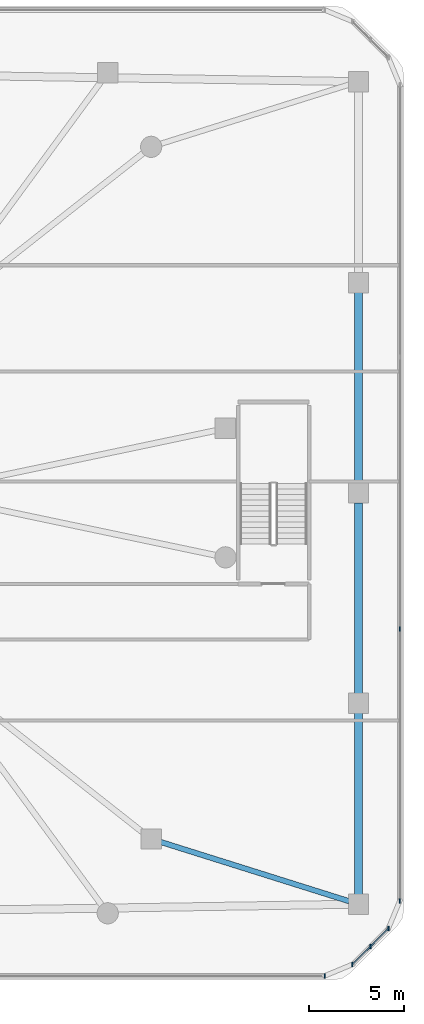
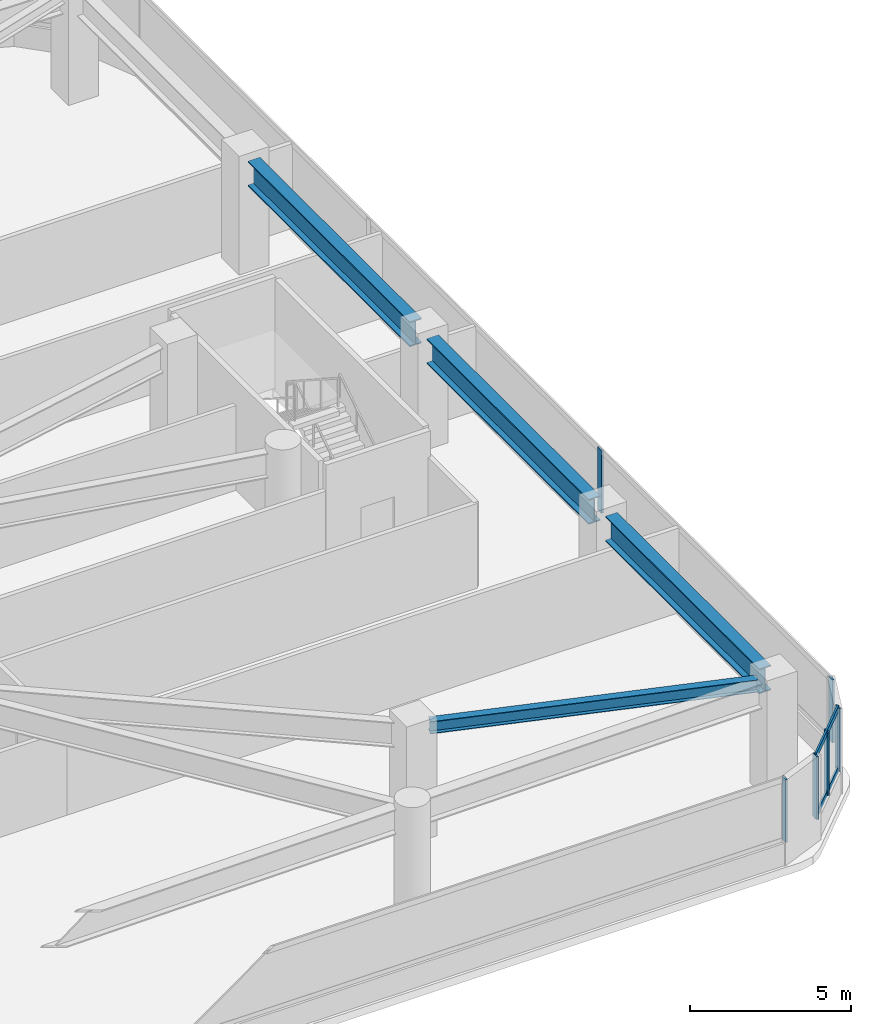
# One storey, part 9 of 21: 8 members, 4 beams, 3 elements without a shape of their own.
"""IFC4 building model written with IfcOpenShell, lengths in metres."""

from ifc_helpers import new_model, si_unit, derived_unit, direction, frame, origin, origin_2d, place, context, subcontext, project, spatial, rectangle, i_section, extrude, material, material_profile, profile_set, type_object, element, aggregate, save


model = new_model("IFC4")

# Units and contexts
model_context = context("Model", 3, precision=1e-05, world=origin(), true_north=direction((0.0, 1.0)))
body_context = subcontext(model_context, "Body", "Model", "MODEL_VIEW")
ifc_project = project(units=[si_unit("LENGTHUNIT", "METRE"), si_unit("AREAUNIT", "SQUARE_METRE"), si_unit("VOLUMEUNIT", "CUBIC_METRE"), si_unit("PLANEANGLEUNIT", "RADIAN"), si_unit("MASSUNIT", "GRAM", prefix="KILO"), derived_unit("THERMALTRANSMITTANCEUNIT", [(si_unit("POWERUNIT", "WATT"), 1), (si_unit("LENGTHUNIT", "METRE"), -2), (si_unit("THERMODYNAMICTEMPERATUREUNIT", "KELVIN"), -1)])], contexts=[model_context])

# Site, building, storey
site_placement = place(None, origin())
site = spatial("IfcSite", under=ifc_project, at=site_placement, CompositionType="ELEMENT")
building_placement = place(site_placement, origin())
building = spatial("IfcBuilding", under=site, at=building_placement, Name="Koralith Skygarden Medical Center", CompositionType="ELEMENT")
storey_placement = place(building_placement, frame((0.0, 0.0, 14.39990234375)))
storey = spatial("IfcBuildingStorey", under=building, at=storey_placement, Name="L03", CompositionType="ELEMENT", Elevation=14.39990234375)

# Curtain wall, member
ifc_material_1 = material(Name="Clear Laminated Glass", Category="glass")
curtain_wall_type = type_object("IfcCurtainWallType", Name="CW-1 Transit & Podium Acoustic Curtain Wall", PredefinedType="NOTDEFINED", material=ifc_material_1)
curtain_wall_1_placement = place(storey_placement, origin())
curtain_wall_1 = element("IfcCurtainWall", 1, at=curtain_wall_1_placement, inside=storey, type_object=curtain_wall_type, Name="Curtain Wall CW-L03-S", PredefinedType="NOTDEFINED")
ifc_material_2 = material(Name="Aluminium 6063-T6", Category="aluminium")
ifc_material_profile_1 = material_profile(ifc_material_2, rectangle(XDim=0.068115234375, YDim=0.239990234375, at=origin_2d()), Name="MUL68X240")
ifc_profile_set_1 = profile_set([ifc_material_profile_1], Name="Aluminium 6063-T6")
member_type_1 = type_object("IfcMemberType", Name="CW-1 Extruded Mullion 68x240", PredefinedType="MULLION", material=ifc_profile_set_1)
member_1_placement = place(storey_placement, frame((69.62109375, 0.419921875, 0.85009765625), z_axis=(0.0, 0.0, 1.0), x_axis=(1.0, 0.0, 0.0)))
member_1 = element("IfcMember", 2, at=member_1_placement, type_object=member_type_1, Name="CW-L03-S Mullion 4", PredefinedType="MULLION", context=body_context, shape_type="SweptSolid", body=[
    extrude(rectangle(XDim=0.068115234375, YDim=0.239990234375, at=origin_2d()), origin(), (0.0, 0.0, 1.0), 2.389892578125),
])
aggregate(curtain_wall_1, [member_1])

# Curtain wall, members
curtain_wall_2_placement = place(storey_placement, origin())
curtain_wall_2 = element("IfcCurtainWall", 3, at=curtain_wall_2_placement, inside=storey, type_object=curtain_wall_type, Name="Curtain Wall CW-L03-SE", PredefinedType="NOTDEFINED")
member_2_placement = place(storey_placement, frame((71.072021484375, 1.02099609375, 0.85009765625), z_axis=(0.0, 0.0, 1.0), x_axis=(1.0, 0.0, 0.0)))
member_2 = element("IfcMember", 4, at=member_2_placement, type_object=member_type_1, Name="CW-L03-SE Mullion 1", PredefinedType="MULLION", context=body_context, shape_type="SweptSolid", body=[
    extrude(rectangle(XDim=0.068115234375, YDim=0.239990234375, at=origin_2d()), origin(), (0.0, 0.0, 1.0), 2.389892578125),
])
member_3_placement = place(storey_placement, frame((72.02490234375, 1.97412109375, 0.85009765625), z_axis=(0.0, 0.0, 1.0), x_axis=(1.0, 0.0, 0.0)))
member_3 = element("IfcMember", 5, at=member_3_placement, type_object=member_type_1, Name="CW-L03-SE Mullion 2", PredefinedType="MULLION", context=body_context, shape_type="SweptSolid", body=[
    extrude(rectangle(XDim=0.068115234375, YDim=0.239990234375, at=origin_2d()), origin(), (0.0, 0.0, 1.0), 2.389892578125),
])
member_4_placement = place(storey_placement, frame((72.97900390625, 2.927978515625, 0.85009765625), z_axis=(0.0, 0.0, 1.0), x_axis=(1.0, 0.0, 0.0)))
member_4 = element("IfcMember", 6, at=member_4_placement, type_object=member_type_1, Name="CW-L03-SE Mullion 3", PredefinedType="MULLION", context=body_context, shape_type="SweptSolid", body=[
    extrude(rectangle(XDim=0.068115234375, YDim=0.239990234375, at=origin_2d()), origin(), (0.0, 0.0, 1.0), 2.389892578125),
])

curtain_wall_3_placement = place(storey_placement, origin())
curtain_wall_3 = element("IfcCurtainWall", 7, at=curtain_wall_3_placement, inside=storey, type_object=curtain_wall_type, Name="Curtain Wall CW-L03-E", PredefinedType="NOTDEFINED")
member_5_placement = place(storey_placement, frame((73.580078125, 4.37890625, 0.85009765625), z_axis=(0.0, 0.0, 1.0), x_axis=(1.0, 0.0, 0.0)))
member_5 = element("IfcMember", 8, at=member_5_placement, type_object=member_type_1, Name="CW-L03-E Mullion 1", PredefinedType="MULLION", context=body_context, shape_type="SweptSolid", body=[
    extrude(rectangle(XDim=0.068115234375, YDim=0.239990234375, at=origin_2d()), origin(), (0.0, 0.0, 1.0), 2.389892578125),
])
member_6_placement = place(storey_placement, frame((73.580078125, 18.72607421875, 0.85009765625), z_axis=(0.0, 0.0, 1.0), x_axis=(1.0, 0.0, 0.0)))
member_6 = element("IfcMember", 9, at=member_6_placement, type_object=member_type_1, Name="CW-L03-E Mullion 2", PredefinedType="MULLION", context=body_context, shape_type="SweptSolid", body=[
    extrude(rectangle(XDim=0.068115234375, YDim=0.239990234375, at=origin_2d()), origin(), (0.0, 0.0, 1.0), 2.389892578125),
])
aggregate(curtain_wall_3, [member_5, member_6])

# Member
ifc_material_profile_2 = material_profile(ifc_material_2, rectangle(XDim=0.06298828125, YDim=0.216064453125, at=origin_2d()), Name="TRN63X216")
ifc_profile_set_2 = profile_set([ifc_material_profile_2], Name="Aluminium 6063-T6")
member_type_2 = type_object("IfcMemberType", Name="CW-1 Thermal Transom 63x216", PredefinedType="USERDEFINED", material=ifc_profile_set_2)
member_7_placement = place(storey_placement, frame((71.072021484375, 1.02099609375, 0.900146484375), z_axis=(0.707106781187, 0.707106781187, 0.0), x_axis=(-0.707106781187, 0.707106781187, 0.0)))
member_7 = element("IfcMember", 10, at=member_7_placement, type_object=member_type_2, Name="CW-L03-SE Transom 1", ObjectType="TRANSOM", PredefinedType="USERDEFINED", context=body_context, shape_type="SweptSolid", body=[
    extrude(rectangle(XDim=0.06298828125, YDim=0.216064453125, at=origin_2d()), origin(), (0.0, 0.0, 1.0), 2.69677734375),
])

member_8_placement = place(storey_placement, frame((71.072021484375, 1.02099609375, 3.190185546875), z_axis=(0.707106781187, 0.707106781187, 0.0), x_axis=(-0.707106781187, 0.707106781187, 0.0)))
member_8 = element("IfcMember", 11, at=member_8_placement, type_object=member_type_2, Name="CW-L03-SE Transom 2", ObjectType="TRANSOM", PredefinedType="USERDEFINED", context=body_context, shape_type="SweptSolid", body=[
    extrude(rectangle(XDim=0.06298828125, YDim=0.216064453125, at=origin_2d()), origin(), (0.0, 0.0, 1.0), 2.69677734375),
])

aggregate(curtain_wall_2, [member_2, member_3, member_4, member_7, member_8])

# Beams
ifc_material_3 = material(Name="Steel ASTM A992 Grade 50", Category="steel")
ifc_material_profile_3 = material_profile(ifc_material_3, i_section(OverallWidth=0.423095703125, OverallDepth=0.947998046875, WebThickness=0.02392578125, FlangeThickness=0.042724609375, at=origin_2d()), Name="W36X302")
ifc_profile_set_3 = profile_set([ifc_material_profile_3], Name="Steel ASTM A992 Grade 50")
beam_type_1 = type_object("IfcBeamType", Name="Podium Concourse Girder W36X302", PredefinedType="BEAM", material=ifc_profile_set_3)
beam_1_placement = place(storey_placement, frame((71.39990234375, 4.719970703125, 3.72607421875), z_axis=(0.0, 1.0, 0.0), x_axis=(-1.0, 0.0, 0.0)))
element("IfcBeam", 12, at=beam_1_placement, inside=storey, type_object=beam_type_1, Name="L03 Podium Perimeter Beam PB-05", PredefinedType="BEAM", context=body_context, shape_type="SweptSolid", body=[
    extrude(i_section(OverallWidth=0.423095703125, OverallDepth=0.947998046875, WebThickness=0.02392578125, FlangeThickness=0.042724609375, at=origin_2d()), origin(), (0.0, 0.0, 1.0), 9.56005859375),
])
beam_2_placement = place(storey_placement, frame((71.39990234375, 15.320068359375, 3.72607421875), z_axis=(0.0, 1.0, 0.0), x_axis=(-1.0, 0.0, 0.0)))
element("IfcBeam", 13, at=beam_2_placement, inside=storey, type_object=beam_type_1, Name="L03 Podium Perimeter Beam PB-06", PredefinedType="BEAM", context=body_context, shape_type="SweptSolid", body=[
    extrude(i_section(OverallWidth=0.423095703125, OverallDepth=0.947998046875, WebThickness=0.02392578125, FlangeThickness=0.042724609375, at=origin_2d()), origin(), (0.0, 0.0, 1.0), 10.059814453125),
])
beam_3_placement = place(storey_placement, frame((71.39990234375, 26.419921875, 3.72607421875), z_axis=(0.0, 1.0, 0.0), x_axis=(-1.0, 0.0, 0.0)))
element("IfcBeam", 14, at=beam_3_placement, inside=storey, type_object=beam_type_1, Name="L03 Podium Perimeter Beam PB-07", PredefinedType="BEAM", context=body_context, shape_type="SweptSolid", body=[
    extrude(i_section(OverallWidth=0.423095703125, OverallDepth=0.947998046875, WebThickness=0.02392578125, FlangeThickness=0.042724609375, at=origin_2d()), origin(), (0.0, 0.0, 1.0), 10.06005859375),
])
ifc_material_profile_4 = material_profile(ifc_material_3, i_section(OverallWidth=0.281982421875, OverallDepth=0.467041015625, WebThickness=0.01220703125, FlangeThickness=0.01953125, at=origin_2d()), Name="W18X86")
ifc_profile_set_4 = profile_set([ifc_material_profile_4], Name="Steel ASTM A992 Grade 50")
beam_type_2 = type_object("IfcBeamType", Name="Podium Floor Joist W18X86", PredefinedType="JOIST", material=ifc_profile_set_4)
beam_4_placement = place(storey_placement, frame((60.9560546875, 7.48388671875, 3.967041015625), z_axis=(0.953954869198, -0.299950175084, 0.0), x_axis=(0.299950175084, 0.953954869198, 0.0)))
element("IfcBeam", 15, at=beam_4_placement, inside=storey, type_object=beam_type_2, Name="L03 Podium Floor Joist PJ-03", PredefinedType="JOIST", context=body_context, shape_type="SweptSolid", body=[
    extrude(i_section(OverallWidth=0.281982421875, OverallDepth=0.467041015625, WebThickness=0.01220703125, FlangeThickness=0.01953125, at=origin_2d()), origin(), (0.0, 0.0, 1.0), 10.42822265625),
])

save(model, "model.ifc")
